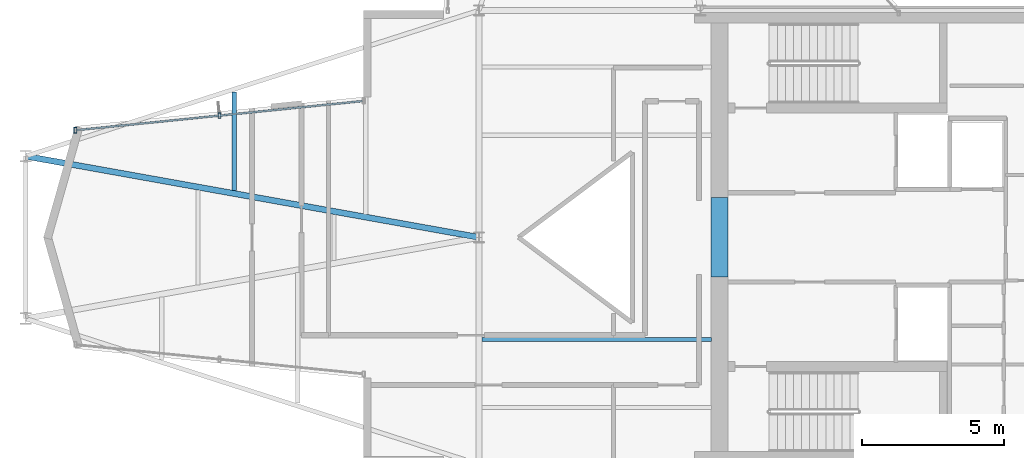
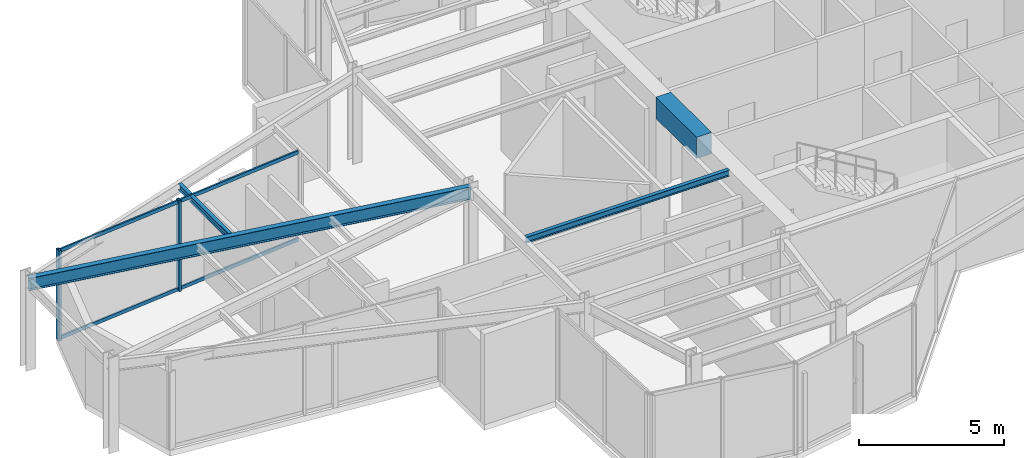
# One storey, part 4 of 15: 4 beams, 4 members, 1 element without a shape of its own.
"""IFC4 building model written with IfcOpenShell, lengths in metres."""

import ifcopenshell
import ifcopenshell.guid

model = None  # the IFC model being written
_history = None  # IfcOwnerHistory: only IFC2X3 demands one
_inside = {}  # id of a spatial element -> (the spatial element, [elements in it])
_under = {}  # id of a project, library or spatial element -> (it, [spatial elements below it])
_declared = {}  # id of a project -> (the project, [libraries it declares])
_typed = {}  # id of a type object -> (the type object, [elements of that type])
_made_of = {}  # id of a material, layer set ... -> (it, [elements and type objects made of it])


def new_model(schema):
    """Start an empty IFC model of exactly this schema.

    Asked for "IFC4X3", IfcOpenShell would pick the latest addendum, in which some entities
    have other attributes; the version numbers below select the first issue.
    IFC2X3 requires an IfcOwnerHistory on every rooted entity: one is made here for all.
    """
    global model, _history
    if schema == "IFC4X3":
        model = ifcopenshell.file(schema_version=(4, 3, 0, 0))
    else:
        model = ifcopenshell.file(schema=schema)
    _inside.clear()
    _under.clear()
    _declared.clear()
    _typed.clear()
    _made_of.clear()
    _history = None
    if model.schema == "IFC2X3":
        org = make("IfcOrganization", Name="unknown")
        user = make(
            "IfcPersonAndOrganization",
            ThePerson=make("IfcPerson", FamilyName="unknown"),
            TheOrganization=org,
        )
        app = make(
            "IfcApplication",
            ApplicationDeveloper=org,
            Version="unknown",
            ApplicationFullName="unknown",
            ApplicationIdentifier="unknown",
        )
        _history = make(
            "IfcOwnerHistory",
            OwningUser=user,
            OwningApplication=app,
            ChangeAction="ADDED",
            CreationDate=0,
        )
    return model


def make(cls, **values):
    """One entity of the class cls with the attributes given. An attribute that is None is left unset."""
    return model.create_entity(
        cls, **{name: value for name, value in values.items() if value is not None}
    )


def rooted(cls, **values):
    """An entity with a GlobalId (a new one), such as an element, a storey or a relation."""
    return make(cls, GlobalId=ifcopenshell.guid.new(), OwnerHistory=_history, **values)


def si_unit(unit_type, name, prefix=None):
    """IfcSIUnit, for example si_unit("LENGTHUNIT", "METRE", prefix="MILLI")."""
    return make("IfcSIUnit", UnitType=unit_type, Prefix=prefix, Name=name)


def assignment(units):
    """IfcUnitAssignment: the units of a project."""
    return None if units is None else make("IfcUnitAssignment", Units=units)


def point(xyz):
    """IfcCartesianPoint."""
    return None if xyz is None else make("IfcCartesianPoint", Coordinates=xyz)


def direction(xyz):
    """IfcDirection."""
    return None if xyz is None else make("IfcDirection", DirectionRatios=xyz)


def frame(location, z_axis=None, x_axis=None):
    """IfcAxis2Placement3D, a coordinate frame: its origin and axes. An axis left out is left unset."""
    return make(
        "IfcAxis2Placement3D",
        Location=point(location),
        Axis=direction(z_axis),
        RefDirection=direction(x_axis),
    )


def frame_2d(location, x_axis=None):
    """IfcAxis2Placement2D, a coordinate frame in the plane: its origin and x axis."""
    return make(
        "IfcAxis2Placement2D", Location=point(location), RefDirection=direction(x_axis)
    )


def origin():
    """The frame at (0, 0, 0) with its axes left unset."""
    return frame((0.0, 0.0, 0.0))


def origin_2d():
    """The frame at (0, 0) in the plane with its x axis left unset."""
    return frame_2d((0.0, 0.0))


def place(relative_to, where):
    """IfcLocalPlacement: puts the frame where relative to a parent placement (None: the world)."""
    return make(
        "IfcLocalPlacement", PlacementRelTo=relative_to, RelativePlacement=where
    )


def context(
    kind, dimensions, precision=None, world=None, true_north=None, identifier=None
):
    """IfcGeometricRepresentationContext, for example the 3D "Model" context."""
    return make(
        "IfcGeometricRepresentationContext",
        ContextIdentifier=identifier,
        ContextType=kind,
        CoordinateSpaceDimension=dimensions,
        Precision=precision,
        WorldCoordinateSystem=world,
        TrueNorth=true_north,
    )


def subcontext(parent, identifier, kind, view, scale=None):
    """IfcGeometricRepresentationSubContext, for example "Body" below "Model"."""
    return make(
        "IfcGeometricRepresentationSubContext",
        ContextIdentifier=identifier,
        ContextType=kind,
        ParentContext=parent,
        TargetScale=scale,
        TargetView=view,
    )


def project(units=None, contexts=None):
    """IfcProject with its units and contexts."""
    return rooted(
        "IfcProject",
        Name="project",
        RepresentationContexts=contexts,
        UnitsInContext=assignment(units),
    )


def spatial(cls, under=None, at=None, **own):
    """A site, building, storey or space (cls), placed at a placement, below another one or the project."""
    s = rooted(cls, ObjectPlacement=at, **own)
    if under is not None:
        _under.setdefault(under.id(), (under, []))[1].append(s)
    return s


def profile(cls, at=None, kind="AREA", **sizes):
    """A parametric profile (cls). Its sizes go by their IFC names, for example OverallWidth=200.0."""
    return make(cls, ProfileType=kind, Position=at, **sizes)


def rectangle(**sizes):
    """IfcRectangleProfileDef."""
    return profile("IfcRectangleProfileDef", **sizes)


def hollow_rectangle(**sizes):
    """IfcRectangleHollowProfileDef."""
    return profile("IfcRectangleHollowProfileDef", **sizes)


def i_section(**sizes):
    """IfcIShapeProfileDef."""
    return profile("IfcIShapeProfileDef", **sizes)


def extrude(swept, where, along, depth):
    """IfcExtrudedAreaSolid: the profile swept, set in the frame where, extruded along a direction by depth."""
    return make(
        "IfcExtrudedAreaSolid",
        SweptArea=swept,
        Position=where,
        ExtrudedDirection=direction(along),
        Depth=depth,
    )


def shape(context_of_items, identifier, shape_type, items):
    """IfcShapeRepresentation: the items that make up one representation, for example the "Body"."""
    return make(
        "IfcShapeRepresentation",
        ContextOfItems=context_of_items,
        RepresentationIdentifier=identifier,
        RepresentationType=shape_type,
        Items=items,
    )


def material(Name=None, Category=None):
    """IfcMaterial."""
    return make("IfcMaterial", Name=Name, Category=Category)


def layer(
    of_material, thickness, ventilated=None, Name=None, Category=None, Priority=None
):
    """IfcMaterialLayer: one layer of a wall or slab, of a material (None: an air gap)."""
    return make(
        "IfcMaterialLayer",
        Material=of_material,
        LayerThickness=thickness,
        IsVentilated=ventilated,
        Name=Name,
        Category=Category,
        Priority=Priority,
    )


def layer_set(layers, Name=None):
    """IfcMaterialLayerSet."""
    return make("IfcMaterialLayerSet", MaterialLayers=layers, LayerSetName=Name)


def material_profile(
    of_material, cross_section, Name=None, Category=None, Priority=None
):
    """IfcMaterialProfile: a cross section and its material."""
    return make(
        "IfcMaterialProfile",
        Name=Name,
        Material=of_material,
        Profile=cross_section,
        Priority=Priority,
        Category=Category,
    )


def profile_set(profiles, Name=None, composite=None):
    """IfcMaterialProfileSet."""
    return make(
        "IfcMaterialProfileSet",
        Name=Name,
        MaterialProfiles=profiles,
        CompositeProfile=composite,
    )


def made_of(thing, what):
    """Note that an element or type object is made of a material, layer set ...; save() writes the relation."""
    if what is not None:
        _made_of.setdefault(what.id(), (what, []))[1].append(thing)
    return thing


def type_object(cls, material=None, **own):
    """A type object (cls), such as IfcWallType, which elements share."""
    return made_of(rooted(cls, **own), material)


def element(
    cls,
    number,
    at=None,
    inside=None,
    cuts=None,
    type_object=None,
    material=None,
    context=None,
    identifier="Body",
    shape_type=None,
    held_by="IfcProductDefinitionShape",
    body=None,
    shapes=None,
    **own,
):
    """One element of the class cls, such as IfcWall. Its Tag is "e" and its number.

    at: its placement. inside: the storey or other place that contains it. cuts: it is an
    opening in that element (IfcRelVoidsElement). A single representation is given by context,
    identifier, shape_type and body (its items); several are given by shapes. held_by: the class
    of the entity that holds the representations. save() writes the other relations.
    """
    e = rooted(cls, Tag="e%d" % number, ObjectPlacement=at, **own)
    if body is not None:
        shapes = [shape(context, identifier, shape_type, body)]
    if shapes is not None:
        e.Representation = make(held_by, Representations=shapes)
    if inside is not None:
        _inside.setdefault(inside.id(), (inside, []))[1].append(e)
    if cuts is not None:
        rooted(
            "IfcRelVoidsElement", RelatingBuildingElement=cuts, RelatedOpeningElement=e
        )
    if type_object is not None:
        _typed.setdefault(type_object.id(), (type_object, []))[1].append(e)
    return made_of(e, material)


def aggregate(whole, parts):
    """IfcRelAggregates: a whole, such as a stair, and the parts it consists of."""
    return rooted("IfcRelAggregates", RelatingObject=whole, RelatedObjects=parts)


def save(model, path):
    """Write the relations noted so far, then the file.

    IfcRelAggregates (storeys below a building ...), IfcRelContainedInSpatialStructure (elements
    in a storey), IfcRelDefinesByType, IfcRelAssociatesMaterial and IfcRelDeclares: one each for
    every whole, place, type object, material and project.
    """
    for whole, parts in _under.values():
        aggregate(whole, parts)
    for where, things in _inside.values():
        rooted(
            "IfcRelContainedInSpatialStructure",
            RelatedElements=things,
            RelatingStructure=where,
        )
    for kind, things in _typed.values():
        rooted("IfcRelDefinesByType", RelatedObjects=things, RelatingType=kind)
    for what, things in _made_of.values():
        rooted("IfcRelAssociatesMaterial", RelatedObjects=things, RelatingMaterial=what)
    for by, libraries in _declared.values():
        rooted("IfcRelDeclares", RelatingContext=by, RelatedDefinitions=libraries)
    model.write(path)


model = new_model("IFC4")

# Units and contexts
model_context = context("Model", 3, precision=1e-05, world=origin(), true_north=direction((0.0, 1.0)))
body_context = subcontext(model_context, "Body", "Model", "MODEL_VIEW")
ifc_project = project(units=[si_unit("LENGTHUNIT", "METRE"), si_unit("AREAUNIT", "SQUARE_METRE"), si_unit("VOLUMEUNIT", "CUBIC_METRE"), si_unit("PLANEANGLEUNIT", "RADIAN"), si_unit("MASSUNIT", "GRAM", prefix="KILO")], contexts=[model_context])

# Site, building, storey
site_placement = place(None, origin())
site = spatial("IfcSite", under=ifc_project, at=site_placement, CompositionType="ELEMENT")
building_placement = place(site_placement, origin())
building = spatial("IfcBuilding", under=site, at=building_placement, Name="Veymaron Broadcast Tower", CompositionType="ELEMENT")
storey_placement = place(building_placement, frame((0.0, 0.0, 266.85009765625)))
storey = spatial("IfcBuildingStorey", under=building, at=storey_placement, Name="L62", CompositionType="ELEMENT", Elevation=266.85009765625)

# Beams
ifc_material_1 = material(Name="Concrete C60/75", Category="concrete")
ifc_material_profile_1 = material_profile(ifc_material_1, rectangle(XDim=0.60009765625, YDim=0.89990234375, at=origin_2d()), Name="RC600X900")
ifc_profile_set_1 = profile_set([ifc_material_profile_1], Name="Concrete C60/75")
beam_type_1 = type_object("IfcBeamType", Name="BM-CB2", PredefinedType="LINTEL", material=ifc_profile_set_1)
beam_1_placement = place(storey_placement, frame((39.679931640625, 22.60009765625, 3.35986328125), z_axis=(0.0, 1.0, 0.0), x_axis=(-1.0, 0.0, 0.0)))
element("IfcBeam", 1, at=beam_1_placement, inside=storey, type_object=beam_type_1, Name="L62 Core Wall west coupling beam", PredefinedType="LINTEL", context=body_context, shape_type="SweptSolid", body=[
    extrude(rectangle(XDim=0.60009765625, YDim=0.89990234375, at=origin_2d()), origin(), (0.0, 0.0, 1.0), 2.7998046875),
])
ifc_material_2 = material(Name="Structural steel ASTM A992 Gr 50", Category="steel")
ifc_material_profile_2 = material_profile(ifc_material_2, i_section(OverallWidth=0.208984375, OverallDepth=0.528076171875, WebThickness=0.009521484375, FlangeThickness=0.01318359375, at=origin_2d()), Name="W530X82")
ifc_profile_set_2 = profile_set([ifc_material_profile_2], Name="Structural steel ASTM A992 Gr 50")
beam_type_2 = type_object("IfcBeamType", Name="BM-FG4", PredefinedType="BEAM", material=ifc_profile_set_2)
beam_2_placement = place(storey_placement, frame((15.224365234375, 26.862060546875, 3.5458984375), z_axis=(0.98432849912, -0.176344565609, 0.0), x_axis=(0.176344565609, 0.98432849912, 0.0)))
element("IfcBeam", 2, at=beam_2_placement, inside=storey, type_object=beam_type_2, Name="L62 primary structural floor girder", PredefinedType="BEAM", context=body_context, shape_type="SweptSolid", body=[
    extrude(i_section(OverallWidth=0.208984375, OverallDepth=0.528076171875, WebThickness=0.009521484375, FlangeThickness=0.01318359375, at=origin_2d()), origin(), (0.0, 0.0, 1.0), 16.22998046875),
])
ifc_material_profile_3 = material_profile(ifc_material_2, i_section(OverallWidth=0.14599609375, OverallDepth=0.258056640625, WebThickness=0.006103515625, FlangeThickness=0.009033203125, at=origin_2d()), Name="W250X33")
ifc_profile_set_3 = profile_set([ifc_material_profile_3], Name="Structural steel ASTM A992 Gr 50")
beam_type_3 = type_object("IfcBeamType", Name="BM-JS4", PredefinedType="JOIST", material=ifc_profile_set_3)
beam_3_placement = place(storey_placement, frame((22.5732421875, 25.6455078125, 3.680908203125), z_axis=(0.0, 1.0, 0.0), x_axis=(-1.0, 0.0, 0.0)))
element("IfcBeam", 3, at=beam_3_placement, inside=storey, type_object=beam_type_3, Name="L62 Arm-A secondary joist 1N", PredefinedType="JOIST", context=body_context, shape_type="SweptSolid", body=[
    extrude(i_section(OverallWidth=0.14599609375, OverallDepth=0.258056640625, WebThickness=0.006103515625, FlangeThickness=0.009033203125, at=origin_2d()), origin(), (0.0, 0.0, 1.0), 3.47998046875),
])
beam_4_placement = place(storey_placement, frame((31.300048828125, 20.39990234375, 3.680908203125), z_axis=(1.0, 0.0, 0.0), x_axis=(0.0, 1.0, 0.0)))
element("IfcBeam", 4, at=beam_4_placement, inside=storey, type_object=beam_type_3, Name="L62 Hub secondary joist 2", PredefinedType="JOIST", context=body_context, shape_type="SweptSolid", body=[
    extrude(i_section(OverallWidth=0.14599609375, OverallDepth=0.258056640625, WebThickness=0.006103515625, FlangeThickness=0.009033203125, at=origin_2d()), origin(), (0.0, 0.0, 1.0), 8.099853515625),
])

# Curtain wall, members
ifc_material_3 = material(Name="Anodised aluminium AA 6063-T6 and laminated low-E dark glass", Category="aluminium")
ifc_layer = layer(ifc_material_3, 0.179931640625)
ifc_layer_set = layer_set([ifc_layer], Name="Anodised aluminium AA 6063-T6 and laminated low-E dark glass")
curtain_wall_type = type_object("IfcCurtainWallType", Name="CW-SYS-06", PredefinedType="NOTDEFINED", material=ifc_layer_set)
curtain_wall_placement = place(storey_placement, origin())
curtain_wall = element("IfcCurtainWall", 5, at=curtain_wall_placement, inside=storey, type_object=curtain_wall_type, Name="L62 dark-glass curtain wall CW-L62-E11-1", PredefinedType="NOTDEFINED")
ifc_material_4 = material(Name="Anodised aluminium AA 6063-T6", Category="aluminium")
ifc_material_profile_4 = material_profile(ifc_material_4, hollow_rectangle(XDim=0.10009765625, YDim=0.199951171875, WallThickness=0.010009765625, at=origin_2d()), Name="RHS200X100X10")
ifc_profile_set_4 = profile_set([ifc_material_profile_4], Name="Anodised aluminium AA 6063-T6")
member_type_1 = type_object("IfcMemberType", Name="CW-MUL-01", PredefinedType="MULLION", material=ifc_profile_set_4)
member_1_placement = place(storey_placement, frame((22.054931640625, 28.29296875, 0.0), z_axis=(0.0, 0.0, 1.0), x_axis=(1.0, 0.0, 0.0)))
member_1 = element("IfcMember", 6, at=member_1_placement, type_object=member_type_1, Name="CW-L62-E11-1 mullion 1", PredefinedType="MULLION", context=body_context, shape_type="SweptSolid", body=[
    extrude(hollow_rectangle(XDim=0.10009765625, YDim=0.199951171875, WallThickness=0.010009765625, at=origin_2d()), origin(), (0.0, 0.0, 1.0), 3.809814453125),
])
member_2_placement = place(storey_placement, frame((16.97412109375, 27.7763671875, 0.0), z_axis=(0.0, 0.0, 1.0), x_axis=(1.0, 0.0, 0.0)))
member_2 = element("IfcMember", 7, at=member_2_placement, type_object=member_type_1, Name="CW-L62-E11-1 mullion 2", PredefinedType="MULLION", context=body_context, shape_type="SweptSolid", body=[
    extrude(hollow_rectangle(XDim=0.10009765625, YDim=0.199951171875, WallThickness=0.010009765625, at=origin_2d()), origin(), (0.0, 0.0, 1.0), 3.809814453125),
])
ifc_material_profile_5 = material_profile(ifc_material_4, hollow_rectangle(XDim=0.06494140625, YDim=0.14990234375, WallThickness=0.00390625, at=origin_2d()), Name="AL150X65X4")
ifc_profile_set_5 = profile_set([ifc_material_profile_5], Name="Anodised aluminium AA 6063-T6")
member_type_2 = type_object("IfcMemberType", Name="CW-TRN-01", PredefinedType="USERDEFINED", material=ifc_profile_set_5)
member_3_placement = place(storey_placement, frame((27.086181640625, 28.804443359375, 0.06982421875), z_axis=(-0.994872131197, -0.101140706775, 0.0), x_axis=(0.101140706775, -0.994872131197, 0.0)))
member_3 = element("IfcMember", 8, at=member_3_placement, type_object=member_type_2, Name="CW-L62-E11-1 transom B", ObjectType="TRANSOM", PredefinedType="USERDEFINED", context=body_context, shape_type="SweptSolid", body=[
    extrude(hollow_rectangle(XDim=0.06494140625, YDim=0.14990234375, WallThickness=0.00390625, at=origin_2d()), origin(), (0.0, 0.0, 1.0), 10.114013671875),
])
member_4_placement = place(storey_placement, frame((27.086181640625, 28.804443359375, 3.739990234375), z_axis=(-0.994872131197, -0.101140706775, 0.0), x_axis=(0.101140706775, -0.994872131197, 0.0)))
member_4 = element("IfcMember", 9, at=member_4_placement, type_object=member_type_2, Name="CW-L62-E11-1 transom T", ObjectType="TRANSOM", PredefinedType="USERDEFINED", context=body_context, shape_type="SweptSolid", body=[
    extrude(hollow_rectangle(XDim=0.06494140625, YDim=0.14990234375, WallThickness=0.00390625, at=origin_2d()), origin(), (0.0, 0.0, 1.0), 10.114013671875),
])
aggregate(curtain_wall, [member_1, member_2, member_3, member_4])

save(model, "model.ifc")
